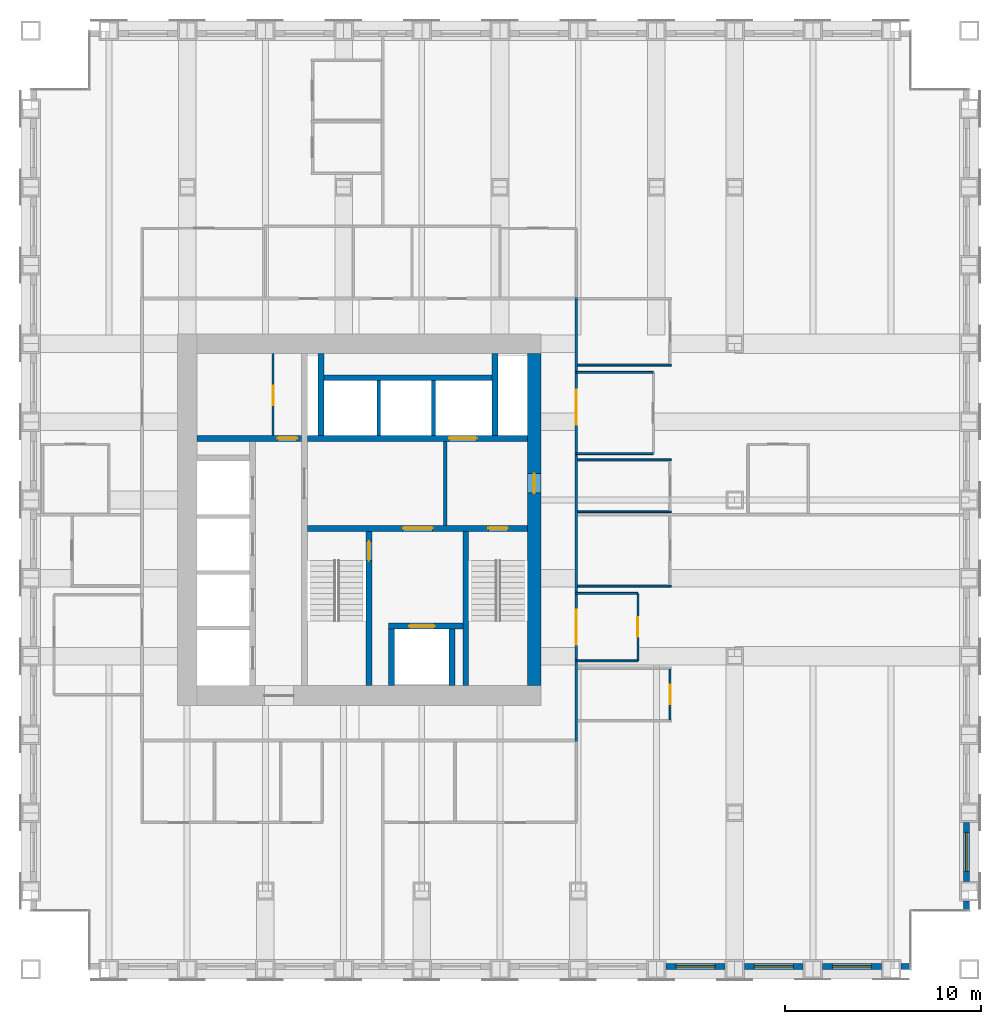
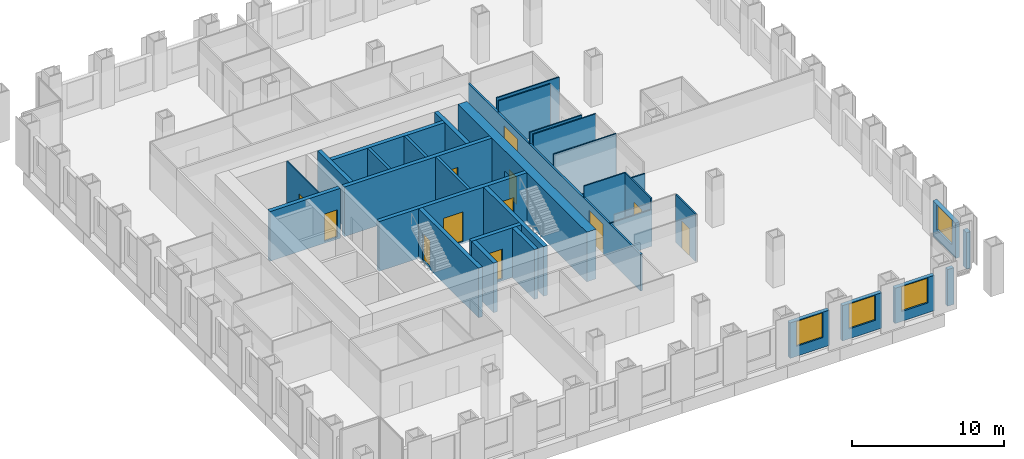
# One storey, part 12 of 16: 33 walls, 12 doors, 4 windows, 16 openings.
"""IFC4 building model written with IfcOpenShell, lengths in metres."""

from ifc_helpers import new_model, si_unit, direction, frame, frame_2d, origin, place, context, subcontext, project, spatial, rectangle, extrude, material, layer, layer_set, type_object, element, fill, save


model = new_model("IFC4")

# Units and contexts
model_context = context("Model", 3, precision=1e-05, world=origin(), true_north=direction((0.0, 1.0)))
body_context = subcontext(model_context, "Body", "Model", "MODEL_VIEW")
ifc_project = project(units=[si_unit("LENGTHUNIT", "METRE"), si_unit("AREAUNIT", "SQUARE_METRE"), si_unit("VOLUMEUNIT", "CUBIC_METRE"), si_unit("PLANEANGLEUNIT", "RADIAN"), si_unit("MASSUNIT", "GRAM", prefix="KILO")], contexts=[model_context])

# Site, building, storey
site_placement = place(None, origin())
site = spatial("IfcSite", under=ifc_project, at=site_placement, CompositionType="ELEMENT")
building_placement = place(site_placement, origin())
building = spatial("IfcBuilding", under=site, at=building_placement, Name="Rimbunsela Tower", CompositionType="ELEMENT")
storey_placement = place(building_placement, frame((0.0, 0.0, 121.39990234375)))
storey = spatial("IfcBuildingStorey", under=building, at=storey_placement, Name="L29", CompositionType="ELEMENT", Elevation=121.39990234375)

# Wall, openings, doors
ifc_material_1 = material(Name="Concrete fc' 80 MPa", Category="concrete")
ifc_layer_1 = layer(ifc_material_1, 0.300048828125)
ifc_layer_set_1 = layer_set([ifc_layer_1], Name="Core internal wall 300")
wall_type_1 = type_object("IfcWallType", Name="Core internal wall 300", PredefinedType="SHEAR", material=ifc_layer_set_1)
wall_1_placement = place(storey_placement, frame((24.14990234375, 26.550048828125, -0.14990234375), z_axis=(0.0, 0.0, 1.0), x_axis=(1.0, 0.0, 0.0)))
wall_1 = element("IfcWall", 1, at=wall_1_placement, inside=storey, type_object=wall_type_1, Name="Core wall lobby south", PredefinedType="SHEAR", context=body_context, shape_type="SweptSolid", body=[
    extrude(rectangle(XDim=11.25, YDim=0.300048828125, at=frame_2d((5.625, 0.0))), origin(), (0.0, 0.0, 1.0), 4.0),
])
opening_1_placement = place(wall_1_placement, frame((9.25, 0.0, 0.14990234375)))
opening_1 = element("IfcOpeningElement", 2, at=opening_1_placement, cuts=wall_1, Name="Opening D01", PredefinedType="OPENING", context=body_context, shape_type="SweptSolid", body=[
    extrude(rectangle(XDim=1.0, YDim=2.199951171875, at=frame_2d((0.5, 1.10009765625))), frame((0.0, 0.159912109375, 0.0), z_axis=(0.0, -1.0, 0.0), x_axis=(1.0, 0.0, 0.0)), (0.0, 0.0, 1.0), 0.320068359375),
])
opening_2_placement = place(wall_1_placement, frame((4.89990234375, 0.0, 0.14990234375)))
opening_2 = element("IfcOpeningElement", 3, at=opening_2_placement, cuts=wall_1, Name="Opening D03", PredefinedType="OPENING", context=body_context, shape_type="SweptSolid", body=[
    extrude(rectangle(XDim=1.5, YDim=2.39990234375, at=frame_2d((0.75, 1.199951171875))), frame((0.0, 0.159912109375, 0.0), z_axis=(0.0, -1.0, 0.0), x_axis=(1.0, 0.0, 0.0)), (0.0, 0.0, 1.0), 0.320068359375),
])
ifc_material_2 = material(Name="Steel door, fire rated", Category="steel")
door_type_1 = type_object("IfcDoorType", Name="Core lobby door 1500", OperationType="DOUBLE_DOOR_DOUBLE_SWING", PredefinedType="DOOR", material=ifc_material_2)
door_1_placement = place(opening_2_placement, origin())
door_1 = element("IfcDoor", 4, at=door_1_placement, inside=storey, type_object=door_type_1, Name="Firefighting lobby door", OperationType="DOUBLE_DOOR_DOUBLE_SWING", OverallHeight=2.39990234375, OverallWidth=1.5, PredefinedType="DOOR", context=body_context, shape_type="SweptSolid", body=[
    extrude(rectangle(XDim=1.5, YDim=2.39990234375, at=frame_2d((0.75, 1.199951171875))), frame((0.0, 0.02490234375, 0.0), z_axis=(0.0, -1.0, 0.0), x_axis=(1.0, 0.0, 0.0)), (0.0, 0.0, 1.0), 0.050048828125),
])
fill(opening_2, door_1)
ifc_material_3 = material(Name="Steel door, fire rated", Category="steel")
door_type_2 = type_object("IfcDoorType", Name="Stair door 1000", OperationType="SINGLE_SWING_RIGHT", PredefinedType="DOOR", material=ifc_material_3)
door_2_placement = place(opening_1_placement, frame((1.0, 0.0, 0.0), z_axis=(0.0, 0.0, 1.0), x_axis=(-1.0, 0.0, 0.0)))
door_2 = element("IfcDoor", 5, at=door_2_placement, inside=storey, type_object=door_type_2, Name="Stair B door", OperationType="SINGLE_SWING_RIGHT", OverallHeight=2.199951171875, OverallWidth=1.0, PredefinedType="DOOR", context=body_context, shape_type="SweptSolid", body=[
    extrude(rectangle(XDim=1.0, YDim=2.199951171875, at=frame_2d((0.5, 1.10009765625))), frame((0.0, 0.02490234375, 0.0), z_axis=(0.0, -1.0, 0.0), x_axis=(1.0, 0.0, 0.0)), (0.0, 0.0, 1.0), 0.050048828125),
])
fill(opening_1, door_2)

# Wall, opening, door
wall_2_placement = place(storey_placement, frame((27.300048828125, 18.5, -0.14990234375), z_axis=(0.0, 0.0, 1.0), x_axis=(0.0, 1.0, 0.0)))
wall_2 = element("IfcWall", 6, at=wall_2_placement, inside=storey, type_object=wall_type_1, Name="Stair A enclosure", PredefinedType="SHEAR", context=body_context, shape_type="SweptSolid", body=[
    extrude(rectangle(XDim=7.89990234375, YDim=0.300048828125, at=frame_2d((3.949951171875, 0.0))), origin(), (0.0, 0.0, 1.0), 4.0),
])
opening_3_placement = place(wall_2_placement, frame((6.39990234375, 0.0, 0.14990234375)))
opening_3 = element("IfcOpeningElement", 7, at=opening_3_placement, cuts=wall_2, Name="Opening D01", PredefinedType="OPENING", context=body_context, shape_type="SweptSolid", body=[
    extrude(rectangle(XDim=1.0, YDim=2.199951171875, at=frame_2d((0.5, 1.10009765625))), frame((0.0, 0.159912109375, 0.0), z_axis=(0.0, -1.0, 0.0), x_axis=(1.0, 0.0, 0.0)), (0.0, 0.0, 1.0), 0.320068359375),
])
door_3_placement = place(opening_3_placement, origin())
door_3 = element("IfcDoor", 8, at=door_3_placement, inside=storey, type_object=door_type_2, Name="Stair A door", OperationType="SINGLE_SWING_RIGHT", OverallHeight=2.199951171875, OverallWidth=1.0, PredefinedType="DOOR", context=body_context, shape_type="SweptSolid", body=[
    extrude(rectangle(XDim=1.0, YDim=2.199951171875, at=frame_2d((0.5, 1.10009765625))), frame((0.0, 0.02490234375, 0.0), z_axis=(0.0, -1.0, 0.0), x_axis=(1.0, 0.0, 0.0)), (0.0, 0.0, 1.0), 0.050048828125),
])
fill(opening_3, door_3)

# Walls
wall_3_placement = place(storey_placement, frame((32.25, 18.5, -0.14990234375), z_axis=(0.0, 0.0, 1.0), x_axis=(0.0, 1.0, 0.0)))
element("IfcWall", 9, at=wall_3_placement, inside=storey, type_object=wall_type_1, Name="Stair B enclosure", PredefinedType="SHEAR", context=body_context, shape_type="SweptSolid", body=[
    extrude(rectangle(XDim=7.89990234375, YDim=0.300048828125, at=frame_2d((3.949951171875, 0.0))), origin(), (0.0, 0.0, 1.0), 4.0),
])
for number, where, z_axis, x_axis, name in (
    (10, (28.449951171875, 18.5, -0.14990234375), (0.0, 0.0, 1.0), (0.0, 1.0, 0.0), "Firefighting lift shaft west"),
    (11, (31.550048828125, 18.5, -0.14990234375), (0.0, 0.0, 1.0), (0.0, 1.0, 0.0), "Firefighting lift shaft east"),
):
    element("IfcWall", number, at=place(storey_placement, frame(where, z_axis=z_axis, x_axis=x_axis)), inside=storey, type_object=wall_type_1, Name=name, PredefinedType="SHEAR", context=body_context, shape_type="SweptSolid", body=[
        extrude(rectangle(XDim=2.89990234375, YDim=0.300048828125, at=frame_2d((1.449951171875, 0.0))), origin(), (0.0, 0.0, 1.0), 4.0),
    ])

# Wall, opening, door
wall_4_placement = place(storey_placement, frame((28.300048828125, 21.550048828125, -0.14990234375), z_axis=(0.0, 0.0, 1.0), x_axis=(1.0, 0.0, 0.0)))
wall_4 = element("IfcWall", 12, at=wall_4_placement, inside=storey, type_object=wall_type_1, Name="Firefighting lift shaft front", PredefinedType="SHEAR", context=body_context, shape_type="SweptSolid", body=[
    extrude(rectangle(XDim=3.800048828125, YDim=0.300048828125, at=frame_2d((1.89990234375, 0.0))), origin(), (0.0, 0.0, 1.0), 4.0),
])
opening_4_placement = place(wall_4_placement, frame((1.050048828125, 0.0, 0.14990234375)))
opening_4 = element("IfcOpeningElement", 13, at=opening_4_placement, cuts=wall_4, Name="Opening LD2", PredefinedType="OPENING", context=body_context, shape_type="SweptSolid", body=[
    extrude(rectangle(XDim=1.300048828125, YDim=2.39990234375, at=frame_2d((0.64990234375, 1.199951171875))), frame((0.0, 0.159912109375, 0.0), z_axis=(0.0, -1.0, 0.0), x_axis=(1.0, 0.0, 0.0)), (0.0, 0.0, 1.0), 0.320068359375),
])
ifc_material_4 = material(Name="Steel door, fire rated", Category="steel")
door_type_3 = type_object("IfcDoorType", Name="Lift landing door 1300", OperationType="DOUBLE_DOOR_SLIDING", PredefinedType="DOOR", material=ifc_material_4)
door_4_placement = place(opening_4_placement, origin())
door_4 = element("IfcDoor", 14, at=door_4_placement, inside=storey, type_object=door_type_3, Name="Lift landing door FL1", OperationType="DOUBLE_DOOR_SLIDING", OverallHeight=2.39990234375, OverallWidth=1.300048828125, PredefinedType="DOOR", context=body_context, shape_type="SweptSolid", body=[
    extrude(rectangle(XDim=1.300048828125, YDim=2.39990234375, at=frame_2d((0.64990234375, 1.199951171875))), frame((0.0, 0.02490234375, 0.0), z_axis=(0.0, -1.0, 0.0), x_axis=(1.0, 0.0, 0.0)), (0.0, 0.0, 1.0), 0.050048828125),
])
fill(opening_4, door_4)

wall_5_placement = place(storey_placement, frame((24.14990234375, 31.14990234375, -0.14990234375), z_axis=(0.0, 0.0, 1.0), x_axis=(1.0, 0.0, 0.0)))
wall_5 = element("IfcWall", 15, at=wall_5_placement, inside=storey, type_object=wall_type_1, Name="Lift shaft front north", PredefinedType="SHEAR", context=body_context, shape_type="SweptSolid", body=[
    extrude(rectangle(XDim=11.25, YDim=0.300048828125, at=frame_2d((5.625, 0.0))), origin(), (0.0, 0.0, 1.0), 4.0),
])
opening_5_placement = place(wall_5_placement, frame((7.25, 0.0, 0.14990234375)))
opening_5 = element("IfcOpeningElement", 16, at=opening_5_placement, cuts=wall_5, Name="Opening LD3", PredefinedType="OPENING", context=body_context, shape_type="SweptSolid", body=[
    extrude(rectangle(XDim=1.39990234375, YDim=2.39990234375, at=frame_2d((0.699951171875, 1.199951171875))), frame((0.0, 0.159912109375, 0.0), z_axis=(0.0, -1.0, 0.0), x_axis=(1.0, 0.0, 0.0)), (0.0, 0.0, 1.0), 0.320068359375),
])
ifc_material_5 = material(Name="Steel door, fire rated", Category="steel")
door_type_4 = type_object("IfcDoorType", Name="Lift landing door 1400", OperationType="DOUBLE_DOOR_SLIDING", PredefinedType="DOOR", material=ifc_material_5)
door_5_placement = place(opening_5_placement, origin())
door_5 = element("IfcDoor", 17, at=door_5_placement, inside=storey, type_object=door_type_4, Name="Lift landing door FL2", OperationType="DOUBLE_DOOR_SLIDING", OverallHeight=2.39990234375, OverallWidth=1.39990234375, PredefinedType="DOOR", context=body_context, shape_type="SweptSolid", body=[
    extrude(rectangle(XDim=1.39990234375, YDim=2.39990234375, at=frame_2d((0.699951171875, 1.199951171875))), frame((0.0, 0.02490234375, 0.0), z_axis=(0.0, -1.0, 0.0), x_axis=(1.0, 0.0, 0.0)), (0.0, 0.0, 1.0), 0.050048828125),
])
fill(opening_5, door_5)

wall_6_placement = place(storey_placement, frame((18.5, 31.14990234375, -0.14990234375), z_axis=(0.0, 0.0, 1.0), x_axis=(1.0, 0.0, 0.0)))
wall_6 = element("IfcWall", 18, at=wall_6_placement, inside=storey, type_object=wall_type_1, Name="Store wall", PredefinedType="SHEAR", context=body_context, shape_type="SweptSolid", body=[
    extrude(rectangle(XDim=5.35009765625, YDim=0.300048828125, at=frame_2d((2.675048828125, 0.0))), origin(), (0.0, 0.0, 1.0), 4.0),
])
opening_6_placement = place(wall_6_placement, frame((4.125, 0.0, 0.14990234375)))
opening_6 = element("IfcOpeningElement", 19, at=opening_6_placement, cuts=wall_6, Name="Opening D19", PredefinedType="OPENING", context=body_context, shape_type="SweptSolid", body=[
    extrude(rectangle(XDim=1.0, YDim=2.199951171875, at=frame_2d((0.5, 1.10009765625))), frame((0.0, 0.159912109375, 0.0), z_axis=(0.0, -1.0, 0.0), x_axis=(1.0, 0.0, 0.0)), (0.0, 0.0, 1.0), 0.320068359375),
])
ifc_material_6 = material(Name="Steel door, fire rated", Category="steel")
door_type_5 = type_object("IfcDoorType", Name="Service door 1000 fire rated", OperationType="SINGLE_SWING_LEFT", PredefinedType="DOOR", material=ifc_material_6)
door_6_placement = place(opening_6_placement, origin())
door_6 = element("IfcDoor", 20, at=door_6_placement, inside=storey, type_object=door_type_5, Name="Facilities store door", OperationType="SINGLE_SWING_LEFT", OverallHeight=2.199951171875, OverallWidth=1.0, PredefinedType="DOOR", context=body_context, shape_type="SweptSolid", body=[
    extrude(rectangle(XDim=1.0, YDim=2.199951171875, at=frame_2d((0.5, 1.10009765625))), frame((0.0, 0.02490234375, 0.0), z_axis=(0.0, -1.0, 0.0), x_axis=(1.0, 0.0, 0.0)), (0.0, 0.0, 1.0), 0.050048828125),
])
fill(opening_6, door_6)

# Walls
for number, where, z_axis, x_axis, name in (
    (21, (24.85009765625, 31.300048828125, -0.14990234375), (0.0, 0.0, 1.0), (0.0, 1.0, 0.0), "Riser wall"),
    (22, (33.75, 31.300048828125, -0.14990234375), (0.0, 0.0, 1.0), (0.0, 1.0, 0.0), "Riser wall"),
):
    element("IfcWall", number, at=place(storey_placement, frame(where, z_axis=z_axis, x_axis=x_axis)), inside=storey, type_object=wall_type_1, Name=name, PredefinedType="SHEAR", context=body_context, shape_type="SweptSolid", body=[
        extrude(rectangle(XDim=4.199951171875, YDim=0.300048828125, at=frame_2d((2.10009765625, 0.0))), origin(), (0.0, 0.0, 1.0), 4.0),
    ])
wall_7_placement = place(storey_placement, frame((25.0, 34.25, -0.14990234375), z_axis=(0.0, 0.0, 1.0), x_axis=(1.0, 0.0, 0.0)))
element("IfcWall", 23, at=wall_7_placement, inside=storey, type_object=wall_type_1, Name="Lift shaft rear north", PredefinedType="SHEAR", context=body_context, shape_type="SweptSolid", body=[
    extrude(rectangle(XDim=8.60009765625, YDim=0.300048828125, at=frame_2d((4.300048828125, 0.0))), origin(), (0.0, 0.0, 1.0), 4.0),
])

# Wall, opening, door
ifc_material_7 = material(Name="Concrete blockwork", Category="masonry")
ifc_layer_2 = layer(ifc_material_7, 0.10009765625)
ifc_layer_set_2 = layer_set([ifc_layer_2], Name="Core room partition 100")
wall_type_2 = type_object("IfcWallType", Name="Core room partition 100", PredefinedType="PARTITIONING", material=ifc_layer_set_2)
wall_8_placement = place(storey_placement, frame((22.39990234375, 31.300048828125, 0.0), z_axis=(0.0, 0.0, 1.0), x_axis=(0.0, 1.0, 0.0)))
wall_8 = element("IfcWall", 24, at=wall_8_placement, inside=storey, type_object=wall_type_2, Name="Tenant store wall", PredefinedType="PARTITIONING", context=body_context, shape_type="SweptSolid", body=[
    extrude(rectangle(XDim=4.199951171875, YDim=0.10009765625, at=frame_2d((2.10009765625, 0.0))), origin(), (0.0, 0.0, 1.0), 3.85009765625),
])
opening_7_placement = place(wall_8_placement, frame((1.550048828125, 0.0, 0.0)))
opening_7 = element("IfcOpeningElement", 25, at=opening_7_placement, cuts=wall_8, Name="Opening D19", PredefinedType="OPENING", context=body_context, shape_type="SweptSolid", body=[
    extrude(rectangle(XDim=1.0, YDim=2.199951171875, at=frame_2d((0.5, 1.10009765625))), frame((0.0, 0.06005859375, 0.0), z_axis=(0.0, -1.0, 0.0), x_axis=(1.0, 0.0, 0.0)), (0.0, 0.0, 1.0), 0.1201171875),
])
door_7_placement = place(opening_7_placement, origin())
door_7 = element("IfcDoor", 26, at=door_7_placement, inside=storey, type_object=door_type_5, Name="Tenant store door", OperationType="SINGLE_SWING_LEFT", OverallHeight=2.199951171875, OverallWidth=1.0, PredefinedType="DOOR", context=body_context, shape_type="SweptSolid", body=[
    extrude(rectangle(XDim=1.0, YDim=2.199951171875, at=frame_2d((0.5, 1.10009765625))), frame((0.0, 0.02490234375, 0.0), z_axis=(0.0, -1.0, 0.0), x_axis=(1.0, 0.0, 0.0)), (0.0, 0.0, 1.0), 0.050048828125),
])
fill(opening_7, door_7)

ifc_material_8 = material(Name="Concrete fc' 80 MPa", Category="concrete")
ifc_layer_3 = layer(ifc_material_8, 0.699951171875)
ifc_layer_set_3 = layer_set([ifc_layer_3], Name="Core wall 700 east")
wall_type_3 = type_object("IfcWallType", Name="Core wall 700 east", PredefinedType="SHEAR", material=ifc_layer_set_3)
wall_9_placement = place(storey_placement, frame((35.75, 18.5, -0.14990234375), z_axis=(0.0, 0.0, 1.0), x_axis=(0.0, 1.0, 0.0)))
wall_9 = element("IfcWall", 27, at=wall_9_placement, inside=storey, type_object=wall_type_3, Name="Core wall east", PredefinedType="SHEAR", context=body_context, shape_type="SweptSolid", body=[
    extrude(rectangle(XDim=17.0, YDim=0.699951171875, at=frame_2d((8.5, 0.0))), origin(), (0.0, 0.0, 1.0), 4.0),
])
opening_8_placement = place(wall_9_placement, frame((9.85009765625, 0.0, 0.14990234375)))
opening_8 = element("IfcOpeningElement", 28, at=opening_8_placement, cuts=wall_9, Name="Opening D01", PredefinedType="OPENING", context=body_context, shape_type="SweptSolid", body=[
    extrude(rectangle(XDim=1.0, YDim=2.199951171875, at=frame_2d((0.5, 1.10009765625))), frame((0.0, 0.35986328125, 0.0), z_axis=(0.0, -1.0, 0.0), x_axis=(1.0, 0.0, 0.0)), (0.0, 0.0, 1.0), 0.719970703125),
])
door_8_placement = place(opening_8_placement, origin())
door_8 = element("IfcDoor", 29, at=door_8_placement, inside=storey, type_object=door_type_2, Name="Firefighting lobby 2 door", OperationType="SINGLE_SWING_RIGHT", OverallHeight=2.199951171875, OverallWidth=1.0, PredefinedType="DOOR", context=body_context, shape_type="SweptSolid", body=[
    extrude(rectangle(XDim=1.0, YDim=2.199951171875, at=frame_2d((0.5, 1.10009765625))), frame((0.0, 0.02490234375, 0.0), z_axis=(0.0, -1.0, 0.0), x_axis=(1.0, 0.0, 0.0)), (0.0, 0.0, 1.0), 0.050048828125),
])
fill(opening_8, door_8)

# Walls
ifc_material_9 = material(Name="Concrete blockwork", Category="masonry")
ifc_layer_4 = layer(ifc_material_9, 0.199951171875)
ifc_layer_set_4 = layer_set([ifc_layer_4], Name="Lift shaft wall 200")
wall_type_4 = type_object("IfcWallType", Name="Lift shaft wall 200", PredefinedType="SOLIDWALL", material=ifc_layer_set_4)
for number, where, z_axis, x_axis, name in (
    (30, (27.800048828125, 31.300048828125, -0.14990234375), (0.0, 0.0, 1.0), (0.0, 1.0, 0.0), "Lift shaft separation"),
    (31, (30.60009765625, 31.300048828125, -0.14990234375), (0.0, 0.0, 1.0), (0.0, 1.0, 0.0), "Lift shaft separation"),
):
    element("IfcWall", number, at=place(storey_placement, frame(where, z_axis=z_axis, x_axis=x_axis)), inside=storey, type_object=wall_type_4, Name=name, PredefinedType="SOLIDWALL", context=body_context, shape_type="SweptSolid", body=[
        extrude(rectangle(XDim=2.800048828125, YDim=0.199951171875, at=frame_2d((1.39990234375, 0.0))), origin(), (0.0, 0.0, 1.0), 4.0),
    ])
wall_10_placement = place(storey_placement, frame((31.199951171875, 26.699951171875, 0.0), z_axis=(0.0, 0.0, 1.0), x_axis=(0.0, 1.0, 0.0)))
element("IfcWall", 32, at=wall_10_placement, inside=storey, type_object=wall_type_4, Name="Firefighting lobby 2 wall", PredefinedType="SOLIDWALL", context=body_context, shape_type="SweptSolid", body=[
    extrude(rectangle(XDim=4.300048828125, YDim=0.199951171875, at=frame_2d((2.14990234375, 0.0))), origin(), (0.0, 0.0, 1.0), 3.85009765625),
])
ifc_material_10 = material(Name="Gypsum board on steel studs", Category="steel")
ifc_layer_5 = layer(ifc_material_10, 0.10009765625)
ifc_layer_set_5 = layer_set([ifc_layer_5], Name="Office partition 100")
wall_type_5 = type_object("IfcWallType", Name="Office partition 100", PredefinedType="PARTITIONING", material=ifc_layer_set_5)
wall_11_placement = place(storey_placement, frame((37.97509765625, 23.59912109375, 0.0), z_axis=(0.0, 0.0, 1.0), x_axis=(1.0, 0.0, 0.0)))
element("IfcWall", 33, at=wall_11_placement, inside=storey, type_object=wall_type_5, Name="Office partition", PredefinedType="PARTITIONING", context=body_context, shape_type="SweptSolid", body=[
    extrude(rectangle(XDim=4.77490234375, YDim=0.10009765625, at=frame_2d((2.387451171875, 0.0))), origin(), (0.0, 0.0, 1.0), 2.9501953125),
])
for number, where, z_axis, x_axis, name in (
    (34, (37.97509765625, 27.39990234375, 0.0), (0.0, 0.0, 1.0), (1.0, 0.0, 0.0), "Office partition"),
    (35, (37.97509765625, 30.050048828125, 0.0), (0.0, 0.0, 1.0), (1.0, 0.0, 0.0), "Office partition"),
    (36, (37.97509765625, 34.89990234375, 0.0), (0.0, 0.0, 1.0), (1.0, 0.0, 0.0), "Office partition"),
):
    element("IfcWall", number, at=place(storey_placement, frame(where, z_axis=z_axis, x_axis=x_axis)), inside=storey, type_object=wall_type_5, Name=name, PredefinedType="PARTITIONING", context=body_context, shape_type="SweptSolid", body=[
        extrude(rectangle(XDim=4.77490234375, YDim=0.10009765625, at=frame_2d((2.387451171875, 0.0))), origin(), (0.0, 0.0, 1.0), 3.85009765625),
    ])

# Wall, opening, door
wall_12_placement = place(storey_placement, frame((42.699951171875, 16.75, 0.0), z_axis=(0.0, 0.0, 1.0), x_axis=(0.0, 1.0, 0.0)))
wall_12 = element("IfcWall", 37, at=wall_12_placement, inside=storey, type_object=wall_type_5, Name="Office partition", PredefinedType="PARTITIONING", context=body_context, shape_type="SweptSolid", body=[
    extrude(rectangle(XDim=2.59912109375, YDim=0.10009765625, at=frame_2d((1.299560546875, 0.0))), origin(), (0.0, 0.0, 1.0), 3.85009765625),
])
opening_9_placement = place(wall_12_placement, frame((0.799560546875, 0.0, 0.0)))
opening_9 = element("IfcOpeningElement", 38, at=opening_9_placement, cuts=wall_12, Name="Opening D16", PredefinedType="OPENING", context=body_context, shape_type="SweptSolid", body=[
    extrude(rectangle(XDim=1.0, YDim=2.199951171875, at=frame_2d((0.5, 1.10009765625))), frame((0.0, 0.06005859375, 0.0), z_axis=(0.0, -1.0, 0.0), x_axis=(1.0, 0.0, 0.0)), (0.0, 0.0, 1.0), 0.1201171875),
])
ifc_material_11 = material(Name="Timber door", Category="wood")
door_type_6 = type_object("IfcDoorType", Name="Office door 1000", OperationType="SINGLE_SWING_LEFT", PredefinedType="DOOR", material=ifc_material_11)
door_9_placement = place(opening_9_placement, origin())
door_9 = element("IfcDoor", 39, at=door_9_placement, inside=storey, type_object=door_type_6, Name="Office door", OperationType="SINGLE_SWING_LEFT", OverallHeight=2.199951171875, OverallWidth=1.0, PredefinedType="DOOR", context=body_context, shape_type="SweptSolid", body=[
    extrude(rectangle(XDim=1.0, YDim=2.199951171875, at=frame_2d((0.5, 1.10009765625))), frame((0.0, 0.02490234375, 0.0), z_axis=(0.0, -1.0, 0.0), x_axis=(1.0, 0.0, 0.0)), (0.0, 0.0, 1.0), 0.050048828125),
])
fill(opening_9, door_9)

# Wall
wall_13_placement = place(storey_placement, frame((37.89990234375, 19.77392578125, 0.0), z_axis=(0.0, 0.0, 1.0), x_axis=(1.0, 0.0, 0.0)))
element("IfcWall", 40, at=wall_13_placement, inside=storey, type_object=wall_type_5, Name="Office partition", PredefinedType="PARTITIONING", context=body_context, shape_type="SweptSolid", body=[
    extrude(rectangle(XDim=3.150146484375, YDim=0.10009765625, at=frame_2d((1.5751953125, 0.0))), origin(), (0.0, 0.0, 1.0), 2.9501953125),
])

# Wall, opening, door
wall_14_placement = place(storey_placement, frame((41.050048828125, 19.77392578125, 0.0), z_axis=(0.0, 0.0, 1.0), x_axis=(0.0, 1.0, 0.0)))
wall_14 = element("IfcWall", 41, at=wall_14_placement, inside=storey, type_object=wall_type_5, Name="Office partition", PredefinedType="PARTITIONING", context=body_context, shape_type="SweptSolid", body=[
    extrude(rectangle(XDim=3.4501953125, YDim=0.10009765625, at=frame_2d((1.72509765625, 0.0))), origin(), (0.0, 0.0, 1.0), 3.85009765625),
])
opening_10_placement = place(wall_14_placement, frame((1.22509765625, 0.0, 0.0)))
opening_10 = element("IfcOpeningElement", 42, at=opening_10_placement, cuts=wall_14, Name="Opening D17", PredefinedType="OPENING", context=body_context, shape_type="SweptSolid", body=[
    extrude(rectangle(XDim=1.0, YDim=2.199951171875, at=frame_2d((0.5, 1.10009765625))), frame((0.0, 0.06005859375, 0.0), z_axis=(0.0, -1.0, 0.0), x_axis=(1.0, 0.0, 0.0)), (0.0, 0.0, 1.0), 0.1201171875),
])
ifc_material_12 = material(Name="Glazed aluminium door", Category="aluminium")
door_type_7 = type_object("IfcDoorType", Name="Meeting room door 1000 glazed", OperationType="SINGLE_SWING_RIGHT", PredefinedType="DOOR", material=ifc_material_12)
door_10_placement = place(opening_10_placement, origin())
door_10 = element("IfcDoor", 43, at=door_10_placement, inside=storey, type_object=door_type_7, Name="Reception door", OperationType="SINGLE_SWING_RIGHT", OverallHeight=2.199951171875, OverallWidth=1.0, PredefinedType="DOOR", context=body_context, shape_type="SweptSolid", body=[
    extrude(rectangle(XDim=1.0, YDim=2.199951171875, at=frame_2d((0.5, 1.10009765625))), frame((0.0, 0.02490234375, 0.0), z_axis=(0.0, -1.0, 0.0), x_axis=(1.0, 0.0, 0.0)), (0.0, 0.0, 1.0), 0.050048828125),
])
fill(opening_10, door_10)

# Walls
wall_15_placement = place(storey_placement, frame((41.050048828125, 23.22412109375, 0.0), z_axis=(0.0, 0.0, 1.0), x_axis=(-1.0, 0.0, 0.0)))
element("IfcWall", 44, at=wall_15_placement, inside=storey, type_object=wall_type_5, Name="Office partition", PredefinedType="PARTITIONING", context=body_context, shape_type="SweptSolid", body=[
    extrude(rectangle(XDim=3.150146484375, YDim=0.10009765625, at=frame_2d((1.5751953125, 0.0))), origin(), (0.0, 0.0, 1.0), 3.85009765625),
])
for number, where, z_axis, x_axis, name in (
    (45, (37.89990234375, 30.3759765625, 0.0), (0.0, 0.0, 1.0), (1.0, 0.0, 0.0), "Office partition"),
    (46, (41.85009765625, 34.52587890625, 0.0), (0.0, 0.0, 1.0), (-1.0, 0.0, 0.0), "Office partition"),
):
    element("IfcWall", number, at=place(storey_placement, frame(where, z_axis=z_axis, x_axis=x_axis)), inside=storey, type_object=wall_type_5, Name=name, PredefinedType="PARTITIONING", context=body_context, shape_type="SweptSolid", body=[
        extrude(rectangle(XDim=3.9501953125, YDim=0.10009765625, at=frame_2d((1.97509765625, 0.0))), origin(), (0.0, 0.0, 1.0), 3.85009765625),
    ])

# Wall, opening, window
ifc_material_13 = material(Name="Precast concrete fc' 35 MPa", Category="concrete")
ifc_layer_6 = layer(ifc_material_13, 0.300048828125)
ifc_layer_set_6 = layer_set([ifc_layer_6], Name="Precast concrete fc' 35 MPa")
wall_type_6 = type_object("IfcWallType", Name="Precast facade panel 300", PredefinedType="ELEMENTEDWALL", material=ifc_layer_set_6)
wall_16_placement = place(storey_placement, frame((42.5, 4.14990234375, 0.0), z_axis=(0.0, 0.0, 1.0), x_axis=(1.0, 0.0, 0.0)))
wall_16 = element("IfcWall", 47, at=wall_16_placement, inside=storey, type_object=wall_type_6, Name="Facade panel S L29", PredefinedType="ELEMENTEDWALL", context=body_context, shape_type="SweptSolid", body=[
    extrude(rectangle(XDim=3.0, YDim=0.300048828125, at=frame_2d((1.5, 0.0))), origin(), (0.0, 0.0, 1.0), 2.85009765625),
])
opening_11_placement = place(wall_16_placement, frame((0.5, 0.0, 0.800048828125)))
opening_11 = element("IfcOpeningElement", 48, at=opening_11_placement, cuts=wall_16, Name="Opening W1", PredefinedType="OPENING", context=body_context, shape_type="SweptSolid", body=[
    extrude(rectangle(XDim=2.0, YDim=2.0, at=frame_2d((1.0, 1.0))), frame((0.0, 0.159912109375, 0.0), z_axis=(0.0, -1.0, 0.0), x_axis=(1.0, 0.0, 0.0)), (0.0, 0.0, 1.0), 0.320068359375),
])
ifc_material_14 = material(Name="Clear glass in aluminium frame", Category="aluminium")
window_type = type_object("IfcWindowType", Name="Window W1 2000x2000", PartitioningType="DOUBLE_PANEL_VERTICAL", PredefinedType="WINDOW", material=ifc_material_14)
window_1_placement = place(opening_11_placement, origin())
window_1 = element("IfcWindow", 49, at=window_1_placement, inside=storey, type_object=window_type, Name="Window L29", OverallHeight=2.0, OverallWidth=2.0, PartitioningType="SINGLE_PANEL", PredefinedType="WINDOW", context=body_context, shape_type="SweptSolid", body=[
    extrude(rectangle(XDim=2.0, YDim=2.0, at=frame_2d((1.0, 1.0))), frame((0.0, 0.030029296875, 0.0), z_axis=(0.0, -1.0, 0.0), x_axis=(1.0, 0.0, 0.0)), (0.0, 0.0, 1.0), 0.06005859375),
])
fill(opening_11, window_1)

wall_17_placement = place(storey_placement, frame((46.5, 4.14990234375, 0.0), z_axis=(0.0, 0.0, 1.0), x_axis=(1.0, 0.0, 0.0)))
wall_17 = element("IfcWall", 50, at=wall_17_placement, inside=storey, type_object=wall_type_6, Name="Facade panel S L29", PredefinedType="ELEMENTEDWALL", context=body_context, shape_type="SweptSolid", body=[
    extrude(rectangle(XDim=3.0, YDim=0.300048828125, at=frame_2d((1.5, 0.0))), origin(), (0.0, 0.0, 1.0), 2.85009765625),
])
opening_12_placement = place(wall_17_placement, frame((0.5, 0.0, 0.800048828125)))
opening_12 = element("IfcOpeningElement", 51, at=opening_12_placement, cuts=wall_17, Name="Opening W1", PredefinedType="OPENING", context=body_context, shape_type="SweptSolid", body=[
    extrude(rectangle(XDim=2.0, YDim=2.0, at=frame_2d((1.0, 1.0))), frame((0.0, 0.159912109375, 0.0), z_axis=(0.0, -1.0, 0.0), x_axis=(1.0, 0.0, 0.0)), (0.0, 0.0, 1.0), 0.320068359375),
])
window_2_placement = place(opening_12_placement, origin())
window_2 = element("IfcWindow", 52, at=window_2_placement, inside=storey, type_object=window_type, Name="Window L29", OverallHeight=2.0, OverallWidth=2.0, PartitioningType="SINGLE_PANEL", PredefinedType="WINDOW", context=body_context, shape_type="SweptSolid", body=[
    extrude(rectangle(XDim=2.0, YDim=2.0, at=frame_2d((1.0, 1.0))), frame((0.0, 0.030029296875, 0.0), z_axis=(0.0, -1.0, 0.0), x_axis=(1.0, 0.0, 0.0)), (0.0, 0.0, 1.0), 0.06005859375),
])
fill(opening_12, window_2)

wall_18_placement = place(storey_placement, frame((50.5, 4.14990234375, 0.0), z_axis=(0.0, 0.0, 1.0), x_axis=(1.0, 0.0, 0.0)))
wall_18 = element("IfcWall", 53, at=wall_18_placement, inside=storey, type_object=wall_type_6, Name="Facade panel S L29", PredefinedType="ELEMENTEDWALL", context=body_context, shape_type="SweptSolid", body=[
    extrude(rectangle(XDim=3.0, YDim=0.300048828125, at=frame_2d((1.5, 0.0))), origin(), (0.0, 0.0, 1.0), 2.85009765625),
])
opening_13_placement = place(wall_18_placement, frame((0.5, 0.0, 0.800048828125)))
opening_13 = element("IfcOpeningElement", 54, at=opening_13_placement, cuts=wall_18, Name="Opening W1", PredefinedType="OPENING", context=body_context, shape_type="SweptSolid", body=[
    extrude(rectangle(XDim=2.0, YDim=2.0, at=frame_2d((1.0, 1.0))), frame((0.0, 0.159912109375, 0.0), z_axis=(0.0, -1.0, 0.0), x_axis=(1.0, 0.0, 0.0)), (0.0, 0.0, 1.0), 0.320068359375),
])
window_3_placement = place(opening_13_placement, origin())
window_3 = element("IfcWindow", 55, at=window_3_placement, inside=storey, type_object=window_type, Name="Window L29", OverallHeight=2.0, OverallWidth=2.0, PartitioningType="SINGLE_PANEL", PredefinedType="WINDOW", context=body_context, shape_type="SweptSolid", body=[
    extrude(rectangle(XDim=2.0, YDim=2.0, at=frame_2d((1.0, 1.0))), frame((0.0, 0.030029296875, 0.0), z_axis=(0.0, -1.0, 0.0), x_axis=(1.0, 0.0, 0.0)), (0.0, 0.0, 1.0), 0.06005859375),
])
fill(opening_13, window_3)

# Walls
for number, where, z_axis, x_axis, name in (
    (56, (54.5, 4.14990234375, 0.0), (0.0, 0.0, 1.0), (1.0, 0.0, 0.0), "Facade panel S L29"),
    (57, (57.85009765625, 7.030029296875, 0.0), (0.0, 0.0, 1.0), (0.0, 1.0, 0.0), "Facade panel E L29"),
):
    element("IfcWall", number, at=place(storey_placement, frame(where, z_axis=z_axis, x_axis=x_axis)), inside=storey, type_object=wall_type_6, Name=name, PredefinedType="ELEMENTEDWALL", context=body_context, shape_type="SweptSolid", body=[
        extrude(rectangle(XDim=0.469970703125, YDim=0.300048828125, at=frame_2d((0.23486328125, 0.0))), origin(), (0.0, 0.0, 1.0), 2.9501953125),
    ])

# Wall, opening, window
wall_19_placement = place(storey_placement, frame((57.85009765625, 8.5, 0.0), z_axis=(0.0, 0.0, 1.0), x_axis=(0.0, 1.0, 0.0)))
wall_19 = element("IfcWall", 58, at=wall_19_placement, inside=storey, type_object=wall_type_6, Name="Facade panel E L29", PredefinedType="ELEMENTEDWALL", context=body_context, shape_type="SweptSolid", body=[
    extrude(rectangle(XDim=3.0, YDim=0.300048828125, at=frame_2d((1.5, 0.0))), origin(), (0.0, 0.0, 1.0), 2.85009765625),
])
opening_14_placement = place(wall_19_placement, frame((0.5, 0.0, 0.800048828125)))
opening_14 = element("IfcOpeningElement", 59, at=opening_14_placement, cuts=wall_19, Name="Opening W1", PredefinedType="OPENING", context=body_context, shape_type="SweptSolid", body=[
    extrude(rectangle(XDim=2.0, YDim=2.0, at=frame_2d((1.0, 1.0))), frame((0.0, 0.159912109375, 0.0), z_axis=(0.0, -1.0, 0.0), x_axis=(1.0, 0.0, 0.0)), (0.0, 0.0, 1.0), 0.320068359375),
])
window_4_placement = place(opening_14_placement, origin())
window_4 = element("IfcWindow", 60, at=window_4_placement, inside=storey, type_object=window_type, Name="Window L29", OverallHeight=2.0, OverallWidth=2.0, PartitioningType="SINGLE_PANEL", PredefinedType="WINDOW", context=body_context, shape_type="SweptSolid", body=[
    extrude(rectangle(XDim=2.0, YDim=2.0, at=frame_2d((1.0, 1.0))), frame((0.0, 0.030029296875, 0.0), z_axis=(0.0, -1.0, 0.0), x_axis=(1.0, 0.0, 0.0)), (0.0, 0.0, 1.0), 0.06005859375),
])
fill(opening_14, window_4)

# Wall, openings, doors
ifc_material_15 = material(Name="Fire-rated gypsum board on steel studs, EI 60", Category="steel")
ifc_layer_7 = layer(ifc_material_15, 0.14990234375)
ifc_layer_set_7 = layer_set([ifc_layer_7], Name="Rated corridor wall 150")
wall_type_7 = type_object("IfcWallType", Name="Rated corridor wall 150", PredefinedType="PARTITIONING", material=ifc_layer_set_7)
wall_20_placement = place(storey_placement, frame((37.89990234375, 15.625, 0.0), z_axis=(0.0, 0.0, 1.0), x_axis=(0.0, 1.0, 0.0)))
wall_20 = element("IfcWall", 61, at=wall_20_placement, inside=storey, type_object=wall_type_7, Name="Corridor wall east", PredefinedType="PARTITIONING", context=body_context, shape_type="SweptSolid", body=[
    extrude(rectangle(XDim=22.75, YDim=0.14990234375, at=frame_2d((11.375, 0.0))), origin(), (0.0, 0.0, 1.0), 2.9501953125),
])
opening_15_placement = place(wall_20_placement, frame((4.97412109375, 0.0, 0.0)))
opening_15 = element("IfcOpeningElement", 62, at=opening_15_placement, cuts=wall_20, Name="Opening D09", PredefinedType="OPENING", context=body_context, shape_type="SweptSolid", body=[
    extrude(rectangle(XDim=1.800048828125, YDim=2.39990234375, at=frame_2d((0.89990234375, 1.199951171875))), frame((0.0, 0.0849609375, 0.0), z_axis=(0.0, -1.0, 0.0), x_axis=(1.0, 0.0, 0.0)), (0.0, 0.0, 1.0), 0.169921875),
])
opening_16_placement = place(wall_20_placement, frame((16.22607421875, 0.0, 0.0)))
opening_16 = element("IfcOpeningElement", 63, at=opening_16_placement, cuts=wall_20, Name="Opening D09", PredefinedType="OPENING", context=body_context, shape_type="SweptSolid", body=[
    extrude(rectangle(XDim=1.800048828125, YDim=2.39990234375, at=frame_2d((0.89990234375, 1.199951171875))), frame((0.0, 0.0849609375, 0.0), z_axis=(0.0, -1.0, 0.0), x_axis=(1.0, 0.0, 0.0)), (0.0, 0.0, 1.0), 0.169921875),
])
ifc_material_16 = material(Name="Glazed aluminium door, fire rated", Category="aluminium")
door_type_8 = type_object("IfcDoorType", Name="Tenancy door 1800 glazed", OperationType="DOUBLE_DOOR_DOUBLE_SWING", PredefinedType="DOOR", material=ifc_material_16)
door_11_placement = place(opening_15_placement, origin())
door_11 = element("IfcDoor", 64, at=door_11_placement, inside=storey, type_object=door_type_8, Name="Tenancy door", OperationType="DOUBLE_DOOR_DOUBLE_SWING", OverallHeight=2.39990234375, OverallWidth=1.800048828125, PredefinedType="DOOR", context=body_context, shape_type="SweptSolid", body=[
    extrude(rectangle(XDim=1.800048828125, YDim=2.39990234375, at=frame_2d((0.89990234375, 1.199951171875))), frame((0.0, 0.02490234375, 0.0), z_axis=(0.0, -1.0, 0.0), x_axis=(1.0, 0.0, 0.0)), (0.0, 0.0, 1.0), 0.050048828125),
])
fill(opening_15, door_11)
door_12_placement = place(opening_16_placement, origin())
door_12 = element("IfcDoor", 65, at=door_12_placement, inside=storey, type_object=door_type_8, Name="Tenancy door", OperationType="DOUBLE_DOOR_DOUBLE_SWING", OverallHeight=2.39990234375, OverallWidth=1.800048828125, PredefinedType="DOOR", context=body_context, shape_type="SweptSolid", body=[
    extrude(rectangle(XDim=1.800048828125, YDim=2.39990234375, at=frame_2d((0.89990234375, 1.199951171875))), frame((0.0, 0.02490234375, 0.0), z_axis=(0.0, -1.0, 0.0), x_axis=(1.0, 0.0, 0.0)), (0.0, 0.0, 1.0), 0.050048828125),
])
fill(opening_16, door_12)

save(model, "model.ifc")
